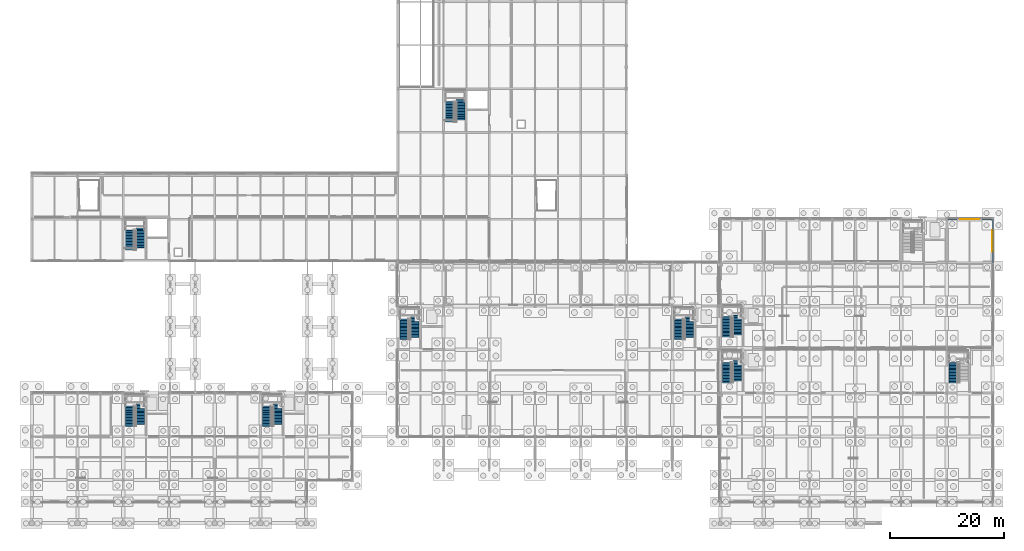
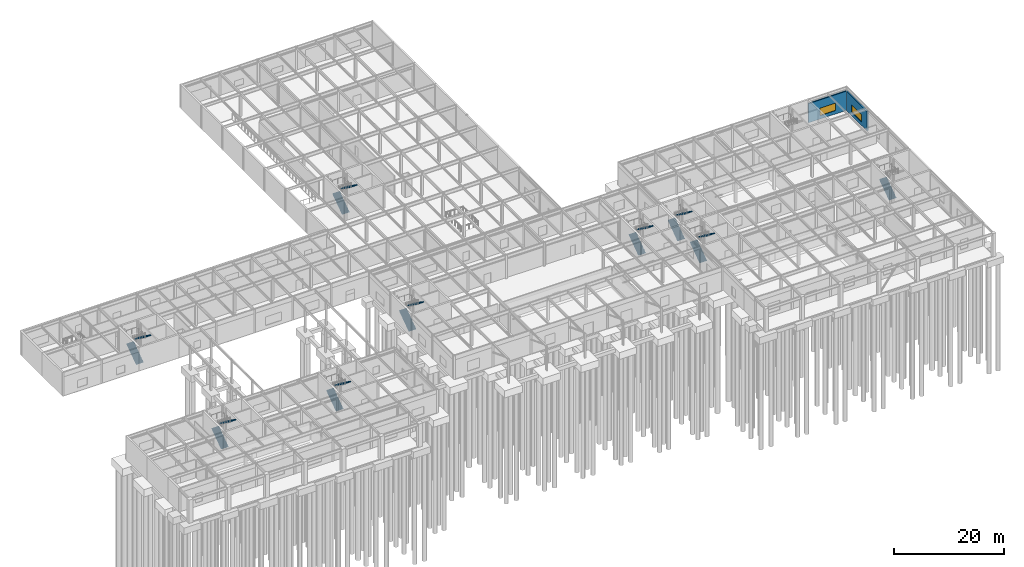
# One storey, part 49 of 62: 17 stair flights, 2 walls, 2 windows, 2 openings, 9 elements without a shape of their own.
"""IFC4 building model written with IfcOpenShell, lengths in metres."""

from ifc_helpers import new_model, si_unit, direction, frame, frame_2d, origin, place, context, subcontext, project, spatial, polyline, rectangle, outline, extrude, material, layer, layer_set, type_object, element, fill, aggregate, save


model = new_model("IFC4")

# Units and contexts
model_context = context("Model", 3, precision=1e-05, world=origin(), true_north=direction((0.0, 1.0)))
body_context = subcontext(model_context, "Body", "Model", "MODEL_VIEW")
ifc_project = project(units=[si_unit("LENGTHUNIT", "METRE"), si_unit("AREAUNIT", "SQUARE_METRE"), si_unit("VOLUMEUNIT", "CUBIC_METRE"), si_unit("PLANEANGLEUNIT", "RADIAN"), si_unit("MASSUNIT", "GRAM", prefix="KILO")], contexts=[model_context])

# Site, building, storey
site_placement = place(None, origin())
site = spatial("IfcSite", under=ifc_project, at=site_placement, CompositionType="ELEMENT")
building_placement = place(site_placement, origin())
building = spatial("IfcBuilding", under=site, at=building_placement, Name="Zulena Civic Courthouse", CompositionType="ELEMENT")
storey_placement = place(building_placement, origin())
storey = spatial("IfcBuildingStorey", under=building, at=storey_placement, Name="L00", CompositionType="ELEMENT", Elevation=0.0)

# Wall, opening, window
ifc_material_1 = material(Name="Travertine-cream architectural precast concrete C40/50", Category="masonry")
ifc_layer = layer(ifc_material_1, 0.280029296875)
ifc_layer_set = layer_set([ifc_layer], Name="Travertine-cream architectural precast concrete C40/50")
wall_type = type_object("IfcWallType", Name="ExtWall_TravPrecast_280", PredefinedType="STANDARD", material=ifc_layer_set)
wall_1_placement = place(storey_placement, frame((163.97998046875, 53.199951171875, 0.0), z_axis=(0.0, 0.0, 1.0), x_axis=(1.0, 0.0, 0.0)))
wall_1 = element("IfcWall", 1, at=wall_1_placement, inside=storey, type_object=wall_type, Name="ewall:V3:L00:1:5", PredefinedType="STANDARD", context=body_context, shape_type="SweptSolid", body=[
    extrude(rectangle(XDim=8.0400390625, YDim=0.280029296875, at=frame_2d((4.02001953125, 0.0))), origin(), (0.0, 0.0, 1.0), 4.25),
])
opening_1_placement = place(wall_1_placement, frame((2.3701171875, 0.0, 0.75)))
opening_1 = element("IfcOpeningElement", 2, at=opening_1_placement, cuts=wall_1, Name="Opening WN47", PredefinedType="OPENING", context=body_context, shape_type="SweptSolid", body=[
    extrude(rectangle(XDim=3.300048828125, YDim=1.64990234375, at=frame_2d((1.64990234375, 0.824951171875))), frame((0.0, 0.14990234375, 0.0), z_axis=(0.0, -1.0, 0.0), x_axis=(1.0, 0.0, 0.0)), (0.0, 0.0, 1.0), 0.300048828125),
])
ifc_material_2 = material(Name="Double-silver low-E laminated solar-control glass", Category="glass")
window_type_1 = type_object("IfcWindowType", Name="Win_3300x1650", PartitioningType="DOUBLE_PANEL_VERTICAL", PredefinedType="WINDOW", material=ifc_material_2)
window_1_placement = place(opening_1_placement, origin())
window_1 = element("IfcWindow", 3, at=window_1_placement, inside=storey, type_object=window_type_1, Name="win:V3:L00:1:5", OverallHeight=1.64990234375, OverallWidth=3.300048828125, PartitioningType="SINGLE_PANEL", PredefinedType="WINDOW", context=body_context, shape_type="SweptSolid", body=[
    extrude(rectangle(XDim=3.300048828125, YDim=1.64990234375, at=frame_2d((1.64990234375, 0.824951171875))), frame((0.0, 0.030029296875, 0.0), z_axis=(0.0, -1.0, 0.0), x_axis=(1.0, 0.0, 0.0)), (0.0, 0.0, 1.0), 0.06005859375),
])
fill(opening_1, window_1)

wall_2_placement = place(storey_placement, frame((172.0, 53.219970703125, 0.0), z_axis=(0.0, 0.0, 1.0), x_axis=(0.0, -1.0, 0.0)))
wall_2 = element("IfcWall", 4, at=wall_2_placement, inside=storey, type_object=wall_type, Name="ewall:V3:L00:2:0", PredefinedType="STANDARD", context=body_context, shape_type="SweptSolid", body=[
    extrude(rectangle(XDim=7.639892578125, YDim=0.280029296875, at=frame_2d((3.81982421875, 0.0))), origin(), (0.0, 0.0, 1.0), 4.25),
])
opening_2_placement = place(wall_2_placement, frame((1.969970703125, 0.0, 0.75)))
opening_2 = element("IfcOpeningElement", 5, at=opening_2_placement, cuts=wall_2, Name="Opening WN48", PredefinedType="OPENING", context=body_context, shape_type="SweptSolid", body=[
    extrude(rectangle(XDim=3.699951171875, YDim=1.64990234375, at=frame_2d((1.85009765625, 0.824951171875))), frame((0.0, 0.14990234375, 0.0), z_axis=(0.0, -1.0, 0.0), x_axis=(1.0, 0.0, 0.0)), (0.0, 0.0, 1.0), 0.300048828125),
])
window_type_2 = type_object("IfcWindowType", Name="Win_3700x1650", PartitioningType="DOUBLE_PANEL_VERTICAL", PredefinedType="WINDOW", material=ifc_material_2)
window_2_placement = place(opening_2_placement, origin())
window_2 = element("IfcWindow", 6, at=window_2_placement, inside=storey, type_object=window_type_2, Name="win:V3:L00:2:0", OverallHeight=1.64990234375, OverallWidth=3.699951171875, PartitioningType="SINGLE_PANEL", PredefinedType="WINDOW", context=body_context, shape_type="SweptSolid", body=[
    extrude(rectangle(XDim=3.699951171875, YDim=1.64990234375, at=frame_2d((1.85009765625, 0.824951171875))), frame((0.0, 0.030029296875, 0.0), z_axis=(0.0, -1.0, 0.0), x_axis=(1.0, 0.0, 0.0)), (0.0, 0.0, 1.0), 0.06005859375),
])
fill(opening_2, window_2)

# Stair, stair flights
ifc_material_3 = material(Name="Precast concrete C40/50", Category="concrete")
stair_type = type_object("IfcStairType", Name="HalfTurnStair_5400", PredefinedType="HALF_TURN_STAIR", material=ifc_material_3)
stair_1_placement = place(storey_placement, origin())
stair_1 = element("IfcStair", 7, at=stair_1_placement, inside=storey, type_object=stair_type, Name="stair:K2A:L00", PredefinedType="HALF_TURN_STAIR")
stair_flight_type = type_object("IfcStairFlightType", Name="StairFlight_5400", PredefinedType="STRAIGHT", material=ifc_material_3)
stair_flight_1_placement = place(storey_placement, frame((21.1298828125, 16.97998046875, 0.0), z_axis=(0.0, 0.0, 1.0), x_axis=(0.0, 1.0, 0.0)))
stair_flight_1 = element("IfcStairFlight", 8, at=stair_flight_1_placement, type_object=stair_flight_type, Name="stair:K2A:L00:F1", NumberOfRisers=15, NumberOfTreads=14, PredefinedType="STRAIGHT", RiserHeight=0.18, TreadLength=0.255, context=body_context, shape_type="SweptSolid", body=[
    extrude(outline(polyline([(0.0, 0.0), (0.0, 0.179931640625), (0.2548828125, 0.179931640625), (0.2548828125, 0.360107421875), (0.510009765625, 0.360107421875), (0.510009765625, 0.5400390625), (0.764892578125, 0.5400390625), (0.764892578125, 0.719970703125), (1.02001953125, 0.719970703125), (1.02001953125, 0.89990234375), (1.27490234375, 0.89990234375), (1.27490234375, 1.080078125), (1.530029296875, 1.080078125), (1.530029296875, 1.260009765625), (1.784912109375, 1.260009765625), (1.784912109375, 1.43994140625), (2.0400390625, 1.43994140625), (2.0400390625, 1.6201171875), (2.294921875, 1.6201171875), (2.294921875, 1.800048828125), (2.550048828125, 1.800048828125), (2.550048828125, 1.97998046875), (2.804931640625, 1.97998046875), (2.804931640625, 2.159912109375), (3.06005859375, 2.159912109375), (3.06005859375, 2.340087890625), (3.31494140625, 2.340087890625), (3.31494140625, 2.52001953125), (3.570068359375, 2.52001953125), (3.570068359375, 2.699951171875), (3.570068359375, 2.3916015625), (0.18212890625, 0.0), (0.0, 0.0)])), frame((0.0, 0.75, 0.0), z_axis=(0.0, -1.0, 0.0), x_axis=(1.0, 0.0, 0.0)), (0.0, 0.0, 1.0), 1.5),
])
stair_flight_2_placement = place(storey_placement, frame((22.969970703125, 20.8896484375, 2.699951171875), z_axis=(0.0, 0.0, 1.0), x_axis=(0.0, -1.0, 0.0)))
stair_flight_2 = element("IfcStairFlight", 9, at=stair_flight_2_placement, type_object=stair_flight_type, Name="stair:K2A:L00:F2", NumberOfRisers=15, NumberOfTreads=14, PredefinedType="STRAIGHT", RiserHeight=0.18, TreadLength=0.255, context=body_context, shape_type="SweptSolid", body=[
    extrude(outline(polyline([(0.0, 0.0), (0.0, 0.179931640625), (0.2548828125, 0.179931640625), (0.2548828125, 0.360107421875), (0.510009765625, 0.360107421875), (0.510009765625, 0.5400390625), (0.764892578125, 0.5400390625), (0.764892578125, 0.719970703125), (1.02001953125, 0.719970703125), (1.02001953125, 0.89990234375), (1.27490234375, 0.89990234375), (1.27490234375, 1.080078125), (1.530029296875, 1.080078125), (1.530029296875, 1.260009765625), (1.784912109375, 1.260009765625), (1.784912109375, 1.43994140625), (2.0400390625, 1.43994140625), (2.0400390625, 1.6201171875), (2.294921875, 1.6201171875), (2.294921875, 1.800048828125), (2.550048828125, 1.800048828125), (2.550048828125, 1.97998046875), (2.804931640625, 1.97998046875), (2.804931640625, 2.159912109375), (3.06005859375, 2.159912109375), (3.06005859375, 2.340087890625), (3.31494140625, 2.340087890625), (3.31494140625, 2.52001953125), (3.570068359375, 2.52001953125), (3.570068359375, 2.699951171875), (3.570068359375, 2.3916015625), (0.18212890625, 0.0), (0.0, 0.0)])), frame((0.0, 0.75, 0.0), z_axis=(0.0, -1.0, 0.0), x_axis=(1.0, 0.0, 0.0)), (0.0, 0.0, 1.0), 1.5),
])
aggregate(stair_1, [stair_flight_1, stair_flight_2])

stair_2_placement = place(storey_placement, origin())
stair_2 = element("IfcStair", 10, at=stair_2_placement, inside=storey, type_object=stair_type, Name="stair:K2B:L00", PredefinedType="HALF_TURN_STAIR")
stair_flight_3_placement = place(storey_placement, frame((45.1298828125, 16.97998046875, 0.0), z_axis=(0.0, 0.0, 1.0), x_axis=(0.0, 1.0, 0.0)))
stair_flight_3 = element("IfcStairFlight", 11, at=stair_flight_3_placement, type_object=stair_flight_type, Name="stair:K2B:L00:F1", NumberOfRisers=15, NumberOfTreads=14, PredefinedType="STRAIGHT", RiserHeight=0.18, TreadLength=0.255, context=body_context, shape_type="SweptSolid", body=[
    extrude(outline(polyline([(0.0, 0.0), (0.0, 0.179931640625), (0.2548828125, 0.179931640625), (0.2548828125, 0.360107421875), (0.510009765625, 0.360107421875), (0.510009765625, 0.5400390625), (0.764892578125, 0.5400390625), (0.764892578125, 0.719970703125), (1.02001953125, 0.719970703125), (1.02001953125, 0.89990234375), (1.27490234375, 0.89990234375), (1.27490234375, 1.080078125), (1.530029296875, 1.080078125), (1.530029296875, 1.260009765625), (1.784912109375, 1.260009765625), (1.784912109375, 1.43994140625), (2.0400390625, 1.43994140625), (2.0400390625, 1.6201171875), (2.294921875, 1.6201171875), (2.294921875, 1.800048828125), (2.550048828125, 1.800048828125), (2.550048828125, 1.97998046875), (2.804931640625, 1.97998046875), (2.804931640625, 2.159912109375), (3.06005859375, 2.159912109375), (3.06005859375, 2.340087890625), (3.31494140625, 2.340087890625), (3.31494140625, 2.52001953125), (3.570068359375, 2.52001953125), (3.570068359375, 2.699951171875), (3.570068359375, 2.3916015625), (0.18212890625, 0.0), (0.0, 0.0)])), frame((0.0, 0.75, 0.0), z_axis=(0.0, -1.0, 0.0), x_axis=(1.0, 0.0, 0.0)), (0.0, 0.0, 1.0), 1.5),
])
stair_flight_4_placement = place(storey_placement, frame((46.969970703125, 20.8896484375, 2.699951171875), z_axis=(0.0, 0.0, 1.0), x_axis=(0.0, -1.0, 0.0)))
stair_flight_4 = element("IfcStairFlight", 12, at=stair_flight_4_placement, type_object=stair_flight_type, Name="stair:K2B:L00:F2", NumberOfRisers=15, NumberOfTreads=14, PredefinedType="STRAIGHT", RiserHeight=0.18, TreadLength=0.255, context=body_context, shape_type="SweptSolid", body=[
    extrude(outline(polyline([(0.0, 0.0), (0.0, 0.179931640625), (0.2548828125, 0.179931640625), (0.2548828125, 0.360107421875), (0.510009765625, 0.360107421875), (0.510009765625, 0.5400390625), (0.764892578125, 0.5400390625), (0.764892578125, 0.719970703125), (1.02001953125, 0.719970703125), (1.02001953125, 0.89990234375), (1.27490234375, 0.89990234375), (1.27490234375, 1.080078125), (1.530029296875, 1.080078125), (1.530029296875, 1.260009765625), (1.784912109375, 1.260009765625), (1.784912109375, 1.43994140625), (2.0400390625, 1.43994140625), (2.0400390625, 1.6201171875), (2.294921875, 1.6201171875), (2.294921875, 1.800048828125), (2.550048828125, 1.800048828125), (2.550048828125, 1.97998046875), (2.804931640625, 1.97998046875), (2.804931640625, 2.159912109375), (3.06005859375, 2.159912109375), (3.06005859375, 2.340087890625), (3.31494140625, 2.340087890625), (3.31494140625, 2.52001953125), (3.570068359375, 2.52001953125), (3.570068359375, 2.699951171875), (3.570068359375, 2.3916015625), (0.18212890625, 0.0), (0.0, 0.0)])), frame((0.0, 0.75, 0.0), z_axis=(0.0, -1.0, 0.0), x_axis=(1.0, 0.0, 0.0)), (0.0, 0.0, 1.0), 1.5),
])
aggregate(stair_2, [stair_flight_3, stair_flight_4])

stair_3_placement = place(storey_placement, origin())
stair_3 = element("IfcStair", 13, at=stair_3_placement, inside=storey, type_object=stair_type, Name="stair:K1A:L00", PredefinedType="HALF_TURN_STAIR")
stair_flight_5_placement = place(storey_placement, frame((125.530029296875, 24.580078125, 0.0), z_axis=(0.0, 0.0, 1.0), x_axis=(0.0, 1.0, 0.0)))
stair_flight_5 = element("IfcStairFlight", 14, at=stair_flight_5_placement, type_object=stair_flight_type, Name="stair:K1A:L00:F1", NumberOfRisers=15, NumberOfTreads=14, PredefinedType="STRAIGHT", RiserHeight=0.18, TreadLength=0.255, context=body_context, shape_type="SweptSolid", body=[
    extrude(outline(polyline([(0.0, 0.0), (0.0, 0.179931640625), (0.2548828125, 0.179931640625), (0.2548828125, 0.360107421875), (0.510009765625, 0.360107421875), (0.510009765625, 0.5400390625), (0.764892578125, 0.5400390625), (0.764892578125, 0.719970703125), (1.02001953125, 0.719970703125), (1.02001953125, 0.89990234375), (1.27490234375, 0.89990234375), (1.27490234375, 1.080078125), (1.530029296875, 1.080078125), (1.530029296875, 1.260009765625), (1.784912109375, 1.260009765625), (1.784912109375, 1.43994140625), (2.0400390625, 1.43994140625), (2.0400390625, 1.6201171875), (2.294921875, 1.6201171875), (2.294921875, 1.800048828125), (2.550048828125, 1.800048828125), (2.550048828125, 1.97998046875), (2.804931640625, 1.97998046875), (2.804931640625, 2.159912109375), (3.06005859375, 2.159912109375), (3.06005859375, 2.340087890625), (3.31494140625, 2.340087890625), (3.31494140625, 2.52001953125), (3.570068359375, 2.52001953125), (3.570068359375, 2.699951171875), (3.570068359375, 2.3916015625), (0.18212890625, 0.0), (0.0, 0.0)])), frame((0.0, 0.75, 0.0), z_axis=(0.0, -1.0, 0.0), x_axis=(1.0, 0.0, 0.0)), (0.0, 0.0, 1.0), 1.5),
])
stair_flight_6_placement = place(storey_placement, frame((127.3701171875, 28.48974609375, 2.699951171875), z_axis=(0.0, 0.0, 1.0), x_axis=(0.0, -1.0, 0.0)))
stair_flight_6 = element("IfcStairFlight", 15, at=stair_flight_6_placement, type_object=stair_flight_type, Name="stair:K1A:L00:F2", NumberOfRisers=15, NumberOfTreads=14, PredefinedType="STRAIGHT", RiserHeight=0.18, TreadLength=0.255, context=body_context, shape_type="SweptSolid", body=[
    extrude(outline(polyline([(0.0, 0.0), (0.0, 0.179931640625), (0.2548828125, 0.179931640625), (0.2548828125, 0.360107421875), (0.510009765625, 0.360107421875), (0.510009765625, 0.5400390625), (0.764892578125, 0.5400390625), (0.764892578125, 0.719970703125), (1.02001953125, 0.719970703125), (1.02001953125, 0.89990234375), (1.27490234375, 0.89990234375), (1.27490234375, 1.080078125), (1.530029296875, 1.080078125), (1.530029296875, 1.260009765625), (1.784912109375, 1.260009765625), (1.784912109375, 1.43994140625), (2.0400390625, 1.43994140625), (2.0400390625, 1.6201171875), (2.294921875, 1.6201171875), (2.294921875, 1.800048828125), (2.550048828125, 1.800048828125), (2.550048828125, 1.97998046875), (2.804931640625, 1.97998046875), (2.804931640625, 2.159912109375), (3.06005859375, 2.159912109375), (3.06005859375, 2.340087890625), (3.31494140625, 2.340087890625), (3.31494140625, 2.52001953125), (3.570068359375, 2.52001953125), (3.570068359375, 2.699951171875), (3.570068359375, 2.3916015625), (0.18212890625, 0.0), (0.0, 0.0)])), frame((0.0, 0.75, 0.0), z_axis=(0.0, -1.0, 0.0), x_axis=(1.0, 0.0, 0.0)), (0.0, 0.0, 1.0), 1.5),
])
aggregate(stair_3, [stair_flight_5, stair_flight_6])

# Stair, stair flight
stair_4_placement = place(storey_placement, origin())
stair_4 = element("IfcStair", 16, at=stair_4_placement, inside=storey, type_object=stair_type, Name="stair:K1B:L00", PredefinedType="HALF_TURN_STAIR")
stair_flight_7_placement = place(storey_placement, frame((165.1298828125, 24.580078125, 0.0), z_axis=(0.0, 0.0, 1.0), x_axis=(0.0, 1.0, 0.0)))
stair_flight_7 = element("IfcStairFlight", 17, at=stair_flight_7_placement, type_object=stair_flight_type, Name="stair:K1B:L00:F1", NumberOfRisers=15, NumberOfTreads=14, PredefinedType="STRAIGHT", RiserHeight=0.18, TreadLength=0.255, context=body_context, shape_type="SweptSolid", body=[
    extrude(outline(polyline([(0.0, 0.0), (0.0, 0.179931640625), (0.2548828125, 0.179931640625), (0.2548828125, 0.360107421875), (0.510009765625, 0.360107421875), (0.510009765625, 0.5400390625), (0.764892578125, 0.5400390625), (0.764892578125, 0.719970703125), (1.02001953125, 0.719970703125), (1.02001953125, 0.89990234375), (1.27490234375, 0.89990234375), (1.27490234375, 1.080078125), (1.530029296875, 1.080078125), (1.530029296875, 1.260009765625), (1.784912109375, 1.260009765625), (1.784912109375, 1.43994140625), (2.0400390625, 1.43994140625), (2.0400390625, 1.6201171875), (2.294921875, 1.6201171875), (2.294921875, 1.800048828125), (2.550048828125, 1.800048828125), (2.550048828125, 1.97998046875), (2.804931640625, 1.97998046875), (2.804931640625, 2.159912109375), (3.06005859375, 2.159912109375), (3.06005859375, 2.340087890625), (3.31494140625, 2.340087890625), (3.31494140625, 2.52001953125), (3.570068359375, 2.52001953125), (3.570068359375, 2.699951171875), (3.570068359375, 2.3916015625), (0.18212890625, 0.0), (0.0, 0.0)])), frame((0.0, 0.75, 0.0), z_axis=(0.0, -1.0, 0.0), x_axis=(1.0, 0.0, 0.0)), (0.0, 0.0, 1.0), 1.5),
])
aggregate(stair_4, [stair_flight_7])

# Stair, stair flights
stair_5_placement = place(storey_placement, origin())
stair_5 = element("IfcStair", 18, at=stair_5_placement, inside=storey, type_object=stair_type, Name="stair:K3A:L00", PredefinedType="HALF_TURN_STAIR")
stair_flight_8_placement = place(storey_placement, frame((125.530029296875, 32.580078125, 0.0), z_axis=(0.0, 0.0, 1.0), x_axis=(0.0, 1.0, 0.0)))
stair_flight_8 = element("IfcStairFlight", 19, at=stair_flight_8_placement, type_object=stair_flight_type, Name="stair:K3A:L00:F1", NumberOfRisers=15, NumberOfTreads=14, PredefinedType="STRAIGHT", RiserHeight=0.18, TreadLength=0.255, context=body_context, shape_type="SweptSolid", body=[
    extrude(outline(polyline([(0.0, 0.0), (0.0, 0.179931640625), (0.2548828125, 0.179931640625), (0.2548828125, 0.360107421875), (0.510009765625, 0.360107421875), (0.510009765625, 0.5400390625), (0.764892578125, 0.5400390625), (0.764892578125, 0.719970703125), (1.02001953125, 0.719970703125), (1.02001953125, 0.89990234375), (1.27490234375, 0.89990234375), (1.27490234375, 1.080078125), (1.530029296875, 1.080078125), (1.530029296875, 1.260009765625), (1.784912109375, 1.260009765625), (1.784912109375, 1.43994140625), (2.0400390625, 1.43994140625), (2.0400390625, 1.6201171875), (2.294921875, 1.6201171875), (2.294921875, 1.800048828125), (2.550048828125, 1.800048828125), (2.550048828125, 1.97998046875), (2.804931640625, 1.97998046875), (2.804931640625, 2.159912109375), (3.06005859375, 2.159912109375), (3.06005859375, 2.340087890625), (3.31494140625, 2.340087890625), (3.31494140625, 2.52001953125), (3.570068359375, 2.52001953125), (3.570068359375, 2.699951171875), (3.570068359375, 2.3916015625), (0.18212890625, 0.0), (0.0, 0.0)])), frame((0.0, 0.75, 0.0), z_axis=(0.0, -1.0, 0.0), x_axis=(1.0, 0.0, 0.0)), (0.0, 0.0, 1.0), 1.5),
])
stair_flight_9_placement = place(storey_placement, frame((127.3701171875, 36.48974609375, 2.699951171875), z_axis=(0.0, 0.0, 1.0), x_axis=(0.0, -1.0, 0.0)))
stair_flight_9 = element("IfcStairFlight", 20, at=stair_flight_9_placement, type_object=stair_flight_type, Name="stair:K3A:L00:F2", NumberOfRisers=15, NumberOfTreads=14, PredefinedType="STRAIGHT", RiserHeight=0.18, TreadLength=0.255, context=body_context, shape_type="SweptSolid", body=[
    extrude(outline(polyline([(0.0, 0.0), (0.0, 0.179931640625), (0.2548828125, 0.179931640625), (0.2548828125, 0.360107421875), (0.510009765625, 0.360107421875), (0.510009765625, 0.5400390625), (0.764892578125, 0.5400390625), (0.764892578125, 0.719970703125), (1.02001953125, 0.719970703125), (1.02001953125, 0.89990234375), (1.27490234375, 0.89990234375), (1.27490234375, 1.080078125), (1.530029296875, 1.080078125), (1.530029296875, 1.260009765625), (1.784912109375, 1.260009765625), (1.784912109375, 1.43994140625), (2.0400390625, 1.43994140625), (2.0400390625, 1.6201171875), (2.294921875, 1.6201171875), (2.294921875, 1.800048828125), (2.550048828125, 1.800048828125), (2.550048828125, 1.97998046875), (2.804931640625, 1.97998046875), (2.804931640625, 2.159912109375), (3.06005859375, 2.159912109375), (3.06005859375, 2.340087890625), (3.31494140625, 2.340087890625), (3.31494140625, 2.52001953125), (3.570068359375, 2.52001953125), (3.570068359375, 2.699951171875), (3.570068359375, 2.3916015625), (0.18212890625, 0.0), (0.0, 0.0)])), frame((0.0, 0.75, 0.0), z_axis=(0.0, -1.0, 0.0), x_axis=(1.0, 0.0, 0.0)), (0.0, 0.0, 1.0), 1.5),
])
aggregate(stair_5, [stair_flight_8, stair_flight_9])

stair_6_placement = place(storey_placement, origin())
stair_6 = element("IfcStair", 21, at=stair_6_placement, inside=storey, type_object=stair_type, Name="stair:K4A:L00", PredefinedType="HALF_TURN_STAIR")
stair_flight_10_placement = place(storey_placement, frame((69.1298828125, 32.179931640625, 0.0), z_axis=(0.0, 0.0, 1.0), x_axis=(0.0, 1.0, 0.0)))
stair_flight_10 = element("IfcStairFlight", 22, at=stair_flight_10_placement, type_object=stair_flight_type, Name="stair:K4A:L00:F1", NumberOfRisers=15, NumberOfTreads=14, PredefinedType="STRAIGHT", RiserHeight=0.18, TreadLength=0.255, context=body_context, shape_type="SweptSolid", body=[
    extrude(outline(polyline([(0.0, 0.0), (0.0, 0.179931640625), (0.2548828125, 0.179931640625), (0.2548828125, 0.360107421875), (0.510009765625, 0.360107421875), (0.510009765625, 0.5400390625), (0.764892578125, 0.5400390625), (0.764892578125, 0.719970703125), (1.02001953125, 0.719970703125), (1.02001953125, 0.89990234375), (1.27490234375, 0.89990234375), (1.27490234375, 1.080078125), (1.530029296875, 1.080078125), (1.530029296875, 1.260009765625), (1.784912109375, 1.260009765625), (1.784912109375, 1.43994140625), (2.0400390625, 1.43994140625), (2.0400390625, 1.6201171875), (2.294921875, 1.6201171875), (2.294921875, 1.800048828125), (2.550048828125, 1.800048828125), (2.550048828125, 1.97998046875), (2.804931640625, 1.97998046875), (2.804931640625, 2.159912109375), (3.06005859375, 2.159912109375), (3.06005859375, 2.340087890625), (3.31494140625, 2.340087890625), (3.31494140625, 2.52001953125), (3.570068359375, 2.52001953125), (3.570068359375, 2.699951171875), (3.570068359375, 2.3916015625), (0.18212890625, 0.0), (0.0, 0.0)])), frame((0.0, 0.75, 0.0), z_axis=(0.0, -1.0, 0.0), x_axis=(1.0, 0.0, 0.0)), (0.0, 0.0, 1.0), 1.5),
])
stair_flight_11_placement = place(storey_placement, frame((70.969970703125, 36.089599609375, 2.699951171875), z_axis=(0.0, 0.0, 1.0), x_axis=(0.0, -1.0, 0.0)))
stair_flight_11 = element("IfcStairFlight", 23, at=stair_flight_11_placement, type_object=stair_flight_type, Name="stair:K4A:L00:F2", NumberOfRisers=15, NumberOfTreads=14, PredefinedType="STRAIGHT", RiserHeight=0.18, TreadLength=0.255, context=body_context, shape_type="SweptSolid", body=[
    extrude(outline(polyline([(0.0, 0.0), (0.0, 0.179931640625), (0.2548828125, 0.179931640625), (0.2548828125, 0.360107421875), (0.510009765625, 0.360107421875), (0.510009765625, 0.5400390625), (0.764892578125, 0.5400390625), (0.764892578125, 0.719970703125), (1.02001953125, 0.719970703125), (1.02001953125, 0.89990234375), (1.27490234375, 0.89990234375), (1.27490234375, 1.080078125), (1.530029296875, 1.080078125), (1.530029296875, 1.260009765625), (1.784912109375, 1.260009765625), (1.784912109375, 1.43994140625), (2.0400390625, 1.43994140625), (2.0400390625, 1.6201171875), (2.294921875, 1.6201171875), (2.294921875, 1.800048828125), (2.550048828125, 1.800048828125), (2.550048828125, 1.97998046875), (2.804931640625, 1.97998046875), (2.804931640625, 2.159912109375), (3.06005859375, 2.159912109375), (3.06005859375, 2.340087890625), (3.31494140625, 2.340087890625), (3.31494140625, 2.52001953125), (3.570068359375, 2.52001953125), (3.570068359375, 2.699951171875), (3.570068359375, 2.3916015625), (0.18212890625, 0.0), (0.0, 0.0)])), frame((0.0, 0.75, 0.0), z_axis=(0.0, -1.0, 0.0), x_axis=(1.0, 0.0, 0.0)), (0.0, 0.0, 1.0), 1.5),
])
aggregate(stair_6, [stair_flight_10, stair_flight_11])

stair_7_placement = place(storey_placement, origin())
stair_7 = element("IfcStair", 24, at=stair_7_placement, inside=storey, type_object=stair_type, Name="stair:K4B:L00", PredefinedType="HALF_TURN_STAIR")
stair_flight_12_placement = place(storey_placement, frame((117.1298828125, 32.179931640625, 0.0), z_axis=(0.0, 0.0, 1.0), x_axis=(0.0, 1.0, 0.0)))
stair_flight_12 = element("IfcStairFlight", 25, at=stair_flight_12_placement, type_object=stair_flight_type, Name="stair:K4B:L00:F1", NumberOfRisers=15, NumberOfTreads=14, PredefinedType="STRAIGHT", RiserHeight=0.18, TreadLength=0.255, context=body_context, shape_type="SweptSolid", body=[
    extrude(outline(polyline([(0.0, 0.0), (0.0, 0.179931640625), (0.2548828125, 0.179931640625), (0.2548828125, 0.360107421875), (0.510009765625, 0.360107421875), (0.510009765625, 0.5400390625), (0.764892578125, 0.5400390625), (0.764892578125, 0.719970703125), (1.02001953125, 0.719970703125), (1.02001953125, 0.89990234375), (1.27490234375, 0.89990234375), (1.27490234375, 1.080078125), (1.530029296875, 1.080078125), (1.530029296875, 1.260009765625), (1.784912109375, 1.260009765625), (1.784912109375, 1.43994140625), (2.0400390625, 1.43994140625), (2.0400390625, 1.6201171875), (2.294921875, 1.6201171875), (2.294921875, 1.800048828125), (2.550048828125, 1.800048828125), (2.550048828125, 1.97998046875), (2.804931640625, 1.97998046875), (2.804931640625, 2.159912109375), (3.06005859375, 2.159912109375), (3.06005859375, 2.340087890625), (3.31494140625, 2.340087890625), (3.31494140625, 2.52001953125), (3.570068359375, 2.52001953125), (3.570068359375, 2.699951171875), (3.570068359375, 2.3916015625), (0.18212890625, 0.0), (0.0, 0.0)])), frame((0.0, 0.75, 0.0), z_axis=(0.0, -1.0, 0.0), x_axis=(1.0, 0.0, 0.0)), (0.0, 0.0, 1.0), 1.5),
])
stair_flight_13_placement = place(storey_placement, frame((118.969970703125, 36.089599609375, 2.699951171875), z_axis=(0.0, 0.0, 1.0), x_axis=(0.0, -1.0, 0.0)))
stair_flight_13 = element("IfcStairFlight", 26, at=stair_flight_13_placement, type_object=stair_flight_type, Name="stair:K4B:L00:F2", NumberOfRisers=15, NumberOfTreads=14, PredefinedType="STRAIGHT", RiserHeight=0.18, TreadLength=0.255, context=body_context, shape_type="SweptSolid", body=[
    extrude(outline(polyline([(0.0, 0.0), (0.0, 0.179931640625), (0.2548828125, 0.179931640625), (0.2548828125, 0.360107421875), (0.510009765625, 0.360107421875), (0.510009765625, 0.5400390625), (0.764892578125, 0.5400390625), (0.764892578125, 0.719970703125), (1.02001953125, 0.719970703125), (1.02001953125, 0.89990234375), (1.27490234375, 0.89990234375), (1.27490234375, 1.080078125), (1.530029296875, 1.080078125), (1.530029296875, 1.260009765625), (1.784912109375, 1.260009765625), (1.784912109375, 1.43994140625), (2.0400390625, 1.43994140625), (2.0400390625, 1.6201171875), (2.294921875, 1.6201171875), (2.294921875, 1.800048828125), (2.550048828125, 1.800048828125), (2.550048828125, 1.97998046875), (2.804931640625, 1.97998046875), (2.804931640625, 2.159912109375), (3.06005859375, 2.159912109375), (3.06005859375, 2.340087890625), (3.31494140625, 2.340087890625), (3.31494140625, 2.52001953125), (3.570068359375, 2.52001953125), (3.570068359375, 2.699951171875), (3.570068359375, 2.3916015625), (0.18212890625, 0.0), (0.0, 0.0)])), frame((0.0, 0.75, 0.0), z_axis=(0.0, -1.0, 0.0), x_axis=(1.0, 0.0, 0.0)), (0.0, 0.0, 1.0), 1.5),
])
aggregate(stair_7, [stair_flight_12, stair_flight_13])

stair_8_placement = place(storey_placement, origin())
stair_8 = element("IfcStair", 27, at=stair_8_placement, inside=storey, type_object=stair_type, Name="stair:K5A:L00", PredefinedType="HALF_TURN_STAIR")
stair_flight_14_placement = place(storey_placement, frame((21.1298828125, 47.780029296875, 0.0), z_axis=(0.0, 0.0, 1.0), x_axis=(0.0, 1.0, 0.0)))
stair_flight_14 = element("IfcStairFlight", 28, at=stair_flight_14_placement, type_object=stair_flight_type, Name="stair:K5A:L00:F1", NumberOfRisers=15, NumberOfTreads=14, PredefinedType="STRAIGHT", RiserHeight=0.18, TreadLength=0.255, context=body_context, shape_type="SweptSolid", body=[
    extrude(outline(polyline([(0.0, 0.0), (0.0, 0.179931640625), (0.2548828125, 0.179931640625), (0.2548828125, 0.360107421875), (0.510009765625, 0.360107421875), (0.510009765625, 0.5400390625), (0.764892578125, 0.5400390625), (0.764892578125, 0.719970703125), (1.02001953125, 0.719970703125), (1.02001953125, 0.89990234375), (1.27490234375, 0.89990234375), (1.27490234375, 1.080078125), (1.530029296875, 1.080078125), (1.530029296875, 1.260009765625), (1.784912109375, 1.260009765625), (1.784912109375, 1.43994140625), (2.0400390625, 1.43994140625), (2.0400390625, 1.6201171875), (2.294921875, 1.6201171875), (2.294921875, 1.800048828125), (2.550048828125, 1.800048828125), (2.550048828125, 1.97998046875), (2.804931640625, 1.97998046875), (2.804931640625, 2.159912109375), (3.06005859375, 2.159912109375), (3.06005859375, 2.340087890625), (3.31494140625, 2.340087890625), (3.31494140625, 2.52001953125), (3.570068359375, 2.52001953125), (3.570068359375, 2.699951171875), (3.570068359375, 2.3916015625), (0.18212890625, 0.0), (0.0, 0.0)])), frame((0.0, 0.75, 0.0), z_axis=(0.0, -1.0, 0.0), x_axis=(1.0, 0.0, 0.0)), (0.0, 0.0, 1.0), 1.5),
])
stair_flight_15_placement = place(storey_placement, frame((22.969970703125, 51.689697265625, 2.699951171875), z_axis=(0.0, 0.0, 1.0), x_axis=(0.0, -1.0, 0.0)))
stair_flight_15 = element("IfcStairFlight", 29, at=stair_flight_15_placement, type_object=stair_flight_type, Name="stair:K5A:L00:F2", NumberOfRisers=15, NumberOfTreads=14, PredefinedType="STRAIGHT", RiserHeight=0.18, TreadLength=0.255, context=body_context, shape_type="SweptSolid", body=[
    extrude(outline(polyline([(0.0, 0.0), (0.0, 0.179931640625), (0.2548828125, 0.179931640625), (0.2548828125, 0.360107421875), (0.510009765625, 0.360107421875), (0.510009765625, 0.5400390625), (0.764892578125, 0.5400390625), (0.764892578125, 0.719970703125), (1.02001953125, 0.719970703125), (1.02001953125, 0.89990234375), (1.27490234375, 0.89990234375), (1.27490234375, 1.080078125), (1.530029296875, 1.080078125), (1.530029296875, 1.260009765625), (1.784912109375, 1.260009765625), (1.784912109375, 1.43994140625), (2.0400390625, 1.43994140625), (2.0400390625, 1.6201171875), (2.294921875, 1.6201171875), (2.294921875, 1.800048828125), (2.550048828125, 1.800048828125), (2.550048828125, 1.97998046875), (2.804931640625, 1.97998046875), (2.804931640625, 2.159912109375), (3.06005859375, 2.159912109375), (3.06005859375, 2.340087890625), (3.31494140625, 2.340087890625), (3.31494140625, 2.52001953125), (3.570068359375, 2.52001953125), (3.570068359375, 2.699951171875), (3.570068359375, 2.3916015625), (0.18212890625, 0.0), (0.0, 0.0)])), frame((0.0, 0.75, 0.0), z_axis=(0.0, -1.0, 0.0), x_axis=(1.0, 0.0, 0.0)), (0.0, 0.0, 1.0), 1.5),
])
aggregate(stair_8, [stair_flight_14, stair_flight_15])

stair_9_placement = place(storey_placement, origin())
stair_9 = element("IfcStair", 30, at=stair_9_placement, inside=storey, type_object=stair_type, Name="stair:K5B:L00", PredefinedType="HALF_TURN_STAIR")
stair_flight_16_placement = place(storey_placement, frame((77.1298828125, 70.179931640625, 0.0), z_axis=(0.0, 0.0, 1.0), x_axis=(0.0, 1.0, 0.0)))
stair_flight_16 = element("IfcStairFlight", 31, at=stair_flight_16_placement, type_object=stair_flight_type, Name="stair:K5B:L00:F1", NumberOfRisers=15, NumberOfTreads=14, PredefinedType="STRAIGHT", RiserHeight=0.18, TreadLength=0.255, context=body_context, shape_type="SweptSolid", body=[
    extrude(outline(polyline([(0.0, 0.0), (0.0, 0.179931640625), (0.2548828125, 0.179931640625), (0.2548828125, 0.360107421875), (0.510009765625, 0.360107421875), (0.510009765625, 0.5400390625), (0.764892578125, 0.5400390625), (0.764892578125, 0.719970703125), (1.02001953125, 0.719970703125), (1.02001953125, 0.89990234375), (1.27490234375, 0.89990234375), (1.27490234375, 1.080078125), (1.530029296875, 1.080078125), (1.530029296875, 1.260009765625), (1.784912109375, 1.260009765625), (1.784912109375, 1.43994140625), (2.0400390625, 1.43994140625), (2.0400390625, 1.6201171875), (2.294921875, 1.6201171875), (2.294921875, 1.800048828125), (2.550048828125, 1.800048828125), (2.550048828125, 1.97998046875), (2.804931640625, 1.97998046875), (2.804931640625, 2.159912109375), (3.06005859375, 2.159912109375), (3.06005859375, 2.340087890625), (3.31494140625, 2.340087890625), (3.31494140625, 2.52001953125), (3.570068359375, 2.52001953125), (3.570068359375, 2.699951171875), (3.570068359375, 2.3916015625), (0.18212890625, 0.0), (0.0, 0.0)])), frame((0.0, 0.75, 0.0), z_axis=(0.0, -1.0, 0.0), x_axis=(1.0, 0.0, 0.0)), (0.0, 0.0, 1.0), 1.5),
])
stair_flight_17_placement = place(storey_placement, frame((78.969970703125, 74.089599609375, 2.699951171875), z_axis=(0.0, 0.0, 1.0), x_axis=(0.0, -1.0, 0.0)))
stair_flight_17 = element("IfcStairFlight", 32, at=stair_flight_17_placement, type_object=stair_flight_type, Name="stair:K5B:L00:F2", NumberOfRisers=15, NumberOfTreads=14, PredefinedType="STRAIGHT", RiserHeight=0.18, TreadLength=0.255, context=body_context, shape_type="SweptSolid", body=[
    extrude(outline(polyline([(0.0, 0.0), (0.0, 0.179931640625), (0.2548828125, 0.179931640625), (0.2548828125, 0.360107421875), (0.510009765625, 0.360107421875), (0.510009765625, 0.5400390625), (0.764892578125, 0.5400390625), (0.764892578125, 0.719970703125), (1.02001953125, 0.719970703125), (1.02001953125, 0.89990234375), (1.27490234375, 0.89990234375), (1.27490234375, 1.080078125), (1.530029296875, 1.080078125), (1.530029296875, 1.260009765625), (1.784912109375, 1.260009765625), (1.784912109375, 1.43994140625), (2.0400390625, 1.43994140625), (2.0400390625, 1.6201171875), (2.294921875, 1.6201171875), (2.294921875, 1.800048828125), (2.550048828125, 1.800048828125), (2.550048828125, 1.97998046875), (2.804931640625, 1.97998046875), (2.804931640625, 2.159912109375), (3.06005859375, 2.159912109375), (3.06005859375, 2.340087890625), (3.31494140625, 2.340087890625), (3.31494140625, 2.52001953125), (3.570068359375, 2.52001953125), (3.570068359375, 2.699951171875), (3.570068359375, 2.3916015625), (0.18212890625, 0.0), (0.0, 0.0)])), frame((0.0, 0.75, 0.0), z_axis=(0.0, -1.0, 0.0), x_axis=(1.0, 0.0, 0.0)), (0.0, 0.0, 1.0), 1.5),
])
aggregate(stair_9, [stair_flight_16, stair_flight_17])

save(model, "model.ifc")
